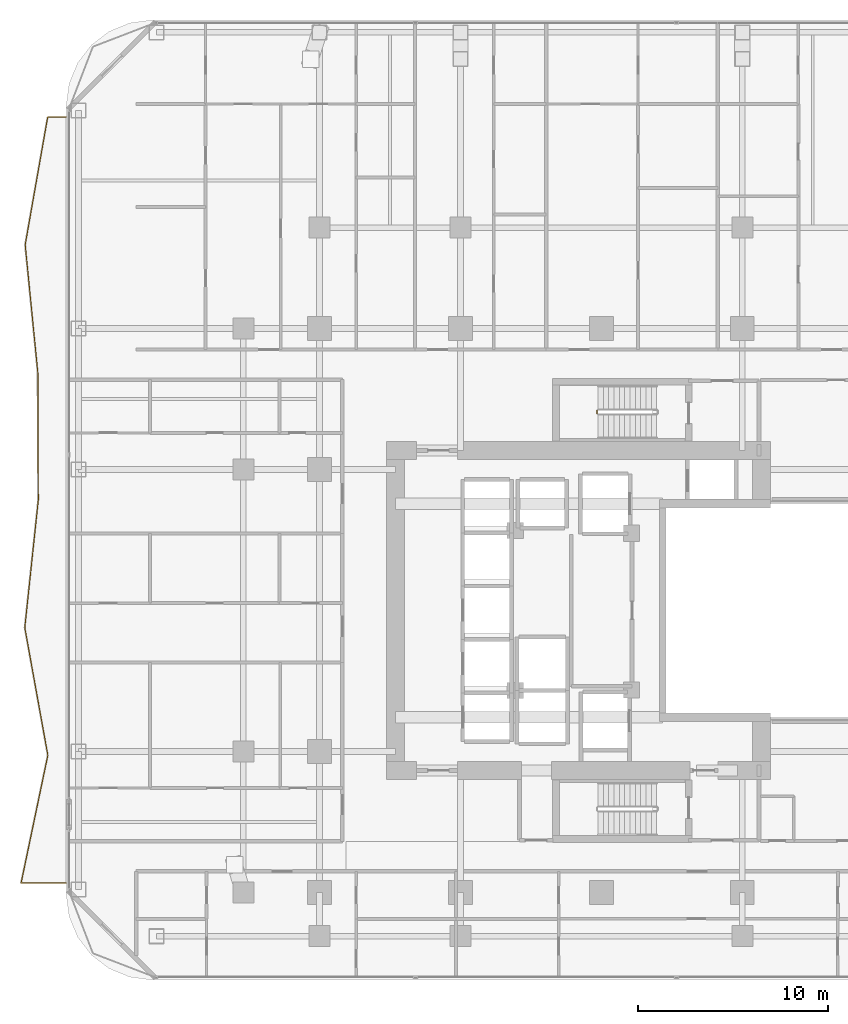
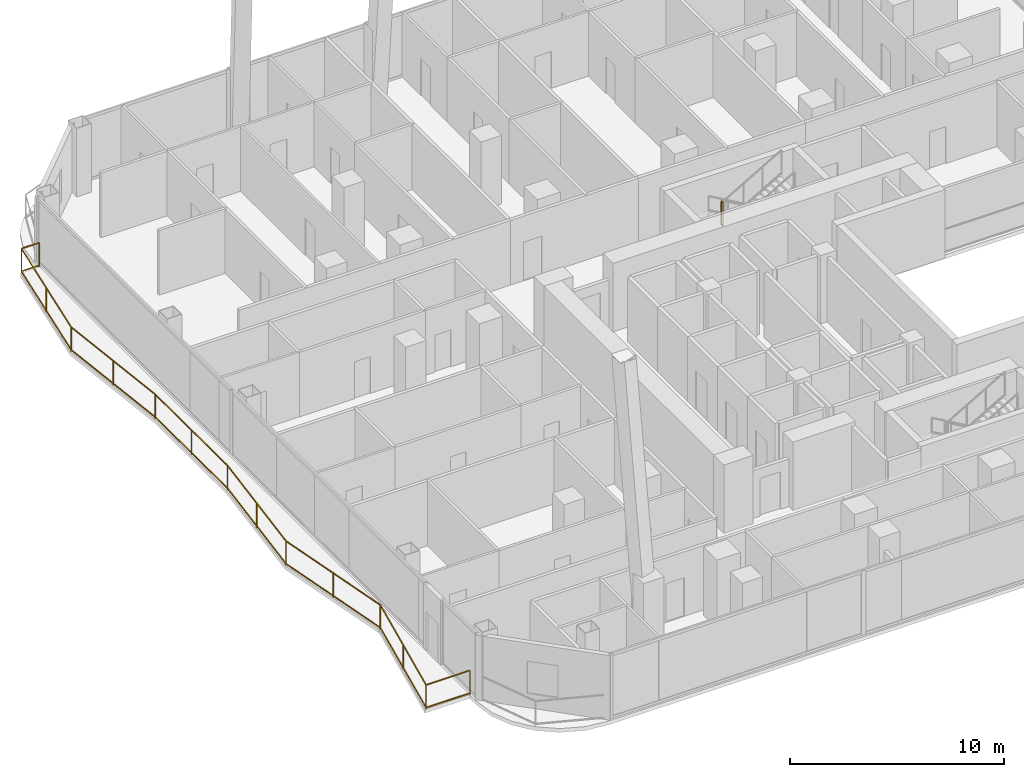
# One storey, part 30 of 32: 2 railings.
"""IFC4 building model written with IfcOpenShell, lengths in metres."""

from ifc_helpers import new_model, si_unit, direction, frame, origin, origin_2d, place, context, subcontext, project, spatial, rectangle, extrude, material, type_object, element, save


model = new_model("IFC4")

# Units and contexts
model_context = context("Model", 3, precision=1e-05, world=origin(), true_north=direction((0.0, 1.0)))
body_context = subcontext(model_context, "Body", "Model", "MODEL_VIEW")
ifc_project = project(units=[si_unit("LENGTHUNIT", "METRE"), si_unit("AREAUNIT", "SQUARE_METRE"), si_unit("VOLUMEUNIT", "CUBIC_METRE"), si_unit("PLANEANGLEUNIT", "RADIAN"), si_unit("MASSUNIT", "GRAM", prefix="KILO")], contexts=[model_context])

# Site, building, storey
site_placement = place(None, origin())
site = spatial("IfcSite", under=ifc_project, at=site_placement, CompositionType="ELEMENT")
building_placement = place(site_placement, origin())
building = spatial("IfcBuilding", under=site, at=building_placement, Name="Khorvyn Point Tower", CompositionType="ELEMENT")
storey_placement = place(building_placement, frame((0.0, 0.0, 93.0)))
storey = spatial("IfcBuildingStorey", under=building, at=storey_placement, Name="L23", CompositionType="ELEMENT", Elevation=93.0)

# Railings
ifc_material_1 = material(Name="Anodised aluminium 6063-T6 and laminated safety glass", Category="aluminium")
railing_type_1 = type_object("IfcRailingType", Name="Laminated Glass and Aluminium Balcony Guardrail 1400", PredefinedType="BALUSTRADE", material=ifc_material_1)
railing_1_placement = place(storey_placement, frame((-28.10009765625, 25.89990234375, 0.0)))
element("IfcRailing", 1, at=railing_1_placement, inside=storey, type_object=railing_type_1, Name="L23 West Balcony Guardrail", PredefinedType="BALUSTRADE", context=body_context, shape_type="SweptSolid", body=[
    extrude(rectangle(XDim=0.048095703125, YDim=0.048095703125, at=origin_2d()), frame((0.0, 0.0, 1.3759765625), z_axis=(-1.0, 0.0, 0.0), x_axis=(0.0, -1.0, 0.0)), (0.0, 0.0, 1.0), 0.968017578125),
    extrude(rectangle(XDim=0.048095703125, YDim=0.048095703125, at=origin_2d()), frame((0.0, 0.0, 0.080078125), z_axis=(-1.0, 0.0, 0.0), x_axis=(0.0, -1.0, 0.0)), (0.0, 0.0, 1.0), 0.968017578125),
    extrude(rectangle(XDim=0.048095703125, YDim=0.048095703125, at=origin_2d()), frame((-0.968017578125, 0.0, 1.3759765625), z_axis=(-0.173650219531, -0.984807392974, 0.0), x_axis=(0.984807392974, -0.173650219531, 0.0)), (0.0, 0.0, 1.0), 6.80322265625),
    extrude(rectangle(XDim=0.048095703125, YDim=0.048095703125, at=origin_2d()), frame((-0.968017578125, 0.0, 0.080078125), z_axis=(-0.173650219531, -0.984807392974, 0.0), x_axis=(0.984807392974, -0.173650219531, 0.0)), (0.0, 0.0, 1.0), 6.80322265625),
    extrude(rectangle(XDim=0.048095703125, YDim=0.048095703125, at=origin_2d()), frame((-2.1494140625, -6.699951171875, 1.3759765625), z_axis=(0.098200318385, -0.995166668186, 0.0), x_axis=(0.995166668186, 0.098200318385, 0.0)), (0.0, 0.0, 1.0), 6.732421875),
    extrude(rectangle(XDim=0.048095703125, YDim=0.048095703125, at=origin_2d()), frame((-2.1494140625, -6.699951171875, 0.080078125), z_axis=(0.098200318385, -0.995166668186, 0.0), x_axis=(0.995166668186, 0.098200318385, 0.0)), (0.0, 0.0, 1.0), 6.732421875),
    extrude(rectangle(XDim=0.048095703125, YDim=0.048095703125, at=origin_2d()), frame((-1.48828125, -13.39990234375, 1.3759765625), z_axis=(0.004117590718, -0.999991522687, 0.0), x_axis=(0.999991522687, 0.004117590718, 0.0)), (0.0, 0.0, 1.0), 6.699951171875),
    extrude(rectangle(XDim=0.048095703125, YDim=0.048095703125, at=origin_2d()), frame((-1.48828125, -13.39990234375, 0.080078125), z_axis=(0.004117590718, -0.999991522687, 0.0), x_axis=(0.999991522687, 0.004117590718, 0.0)), (0.0, 0.0, 1.0), 6.699951171875),
    extrude(rectangle(XDim=0.048095703125, YDim=0.048095703125, at=origin_2d()), frame((-1.460693359375, -20.099853515625, 1.3759765625), z_axis=(-0.105303466428, -0.994440133924, 0.0), x_axis=(0.994440133924, -0.105303466428, 0.0)), (0.0, 0.0, 1.0), 6.7373046875),
    extrude(rectangle(XDim=0.048095703125, YDim=0.048095703125, at=origin_2d()), frame((-1.460693359375, -20.099853515625, 0.080078125), z_axis=(-0.105303466428, -0.994440133924, 0.0), x_axis=(0.994440133924, -0.105303466428, 0.0)), (0.0, 0.0, 1.0), 6.7373046875),
    extrude(rectangle(XDim=0.048095703125, YDim=0.048095703125, at=origin_2d()), frame((-2.170166015625, -26.7998046875, 1.3759765625), z_axis=(0.177780918021, -0.984070091603, 0.0), x_axis=(0.984070091603, 0.177780918021, 0.0)), (0.0, 0.0, 1.0), 6.80859375),
    extrude(rectangle(XDim=0.048095703125, YDim=0.048095703125, at=origin_2d()), frame((-2.170166015625, -26.7998046875, 0.080078125), z_axis=(0.177780918021, -0.984070091603, 0.0), x_axis=(0.984070091603, 0.177780918021, 0.0)), (0.0, 0.0, 1.0), 6.80859375),
    extrude(rectangle(XDim=0.048095703125, YDim=0.048095703125, at=origin_2d()), frame((-0.959716796875, -33.5, 1.3759765625), z_axis=(-0.204901296283, -0.978782641234, 0.0), x_axis=(0.978782641234, -0.204901296283, 0.0)), (0.0, 0.0, 1.0), 6.84521484375),
    extrude(rectangle(XDim=0.048095703125, YDim=0.048095703125, at=origin_2d()), frame((-0.959716796875, -33.5, 0.080078125), z_axis=(-0.204901296283, -0.978782641234, 0.0), x_axis=(0.978782641234, -0.204901296283, 0.0)), (0.0, 0.0, 1.0), 6.84521484375),
    extrude(rectangle(XDim=0.048095703125, YDim=0.048095703125, at=origin_2d()), frame((-2.3623046875, -40.199951171875, 1.3759765625), z_axis=(1.0, 0.0, 0.0), x_axis=(0.0, 1.0, 0.0)), (0.0, 0.0, 1.0), 2.3623046875),
    extrude(rectangle(XDim=0.048095703125, YDim=0.048095703125, at=origin_2d()), frame((-2.3623046875, -40.199951171875, 0.080078125), z_axis=(1.0, 0.0, 0.0), x_axis=(0.0, 1.0, 0.0)), (0.0, 0.0, 1.0), 2.3623046875),
    extrude(rectangle(XDim=0.0419921875, YDim=0.0419921875, at=origin_2d()), origin(), (0.0, 0.0, 1.0), 1.351806640625),
    extrude(rectangle(XDim=0.0419921875, YDim=0.0419921875, at=origin_2d()), frame((-0.968017578125, 0.0, 0.0)), (0.0, 0.0, 1.0), 1.351806640625),
    extrude(rectangle(XDim=0.0419921875, YDim=0.0419921875, at=origin_2d()), frame((-1.55859375, -3.35009765625, 0.0)), (0.0, 0.0, 1.0), 1.351806640625),
    extrude(rectangle(XDim=0.0419921875, YDim=0.0419921875, at=origin_2d()), frame((-2.1494140625, -6.699951171875, 0.0)), (0.0, 0.0, 1.0), 1.351806640625),
    extrude(rectangle(XDim=0.0419921875, YDim=0.0419921875, at=origin_2d()), frame((-1.81884765625, -10.0498046875, 0.0)), (0.0, 0.0, 1.0), 1.351806640625),
    extrude(rectangle(XDim=0.0419921875, YDim=0.0419921875, at=origin_2d()), frame((-1.48828125, -13.39990234375, 0.0)), (0.0, 0.0, 1.0), 1.351806640625),
    extrude(rectangle(XDim=0.0419921875, YDim=0.0419921875, at=origin_2d()), frame((-1.474609375, -16.75, 0.0)), (0.0, 0.0, 1.0), 1.351806640625),
    extrude(rectangle(XDim=0.0419921875, YDim=0.0419921875, at=origin_2d()), frame((-1.460693359375, -20.099853515625, 0.0)), (0.0, 0.0, 1.0), 1.351806640625),
    extrude(rectangle(XDim=0.0419921875, YDim=0.0419921875, at=origin_2d()), frame((-1.8154296875, -23.44970703125, 0.0)), (0.0, 0.0, 1.0), 1.351806640625),
    extrude(rectangle(XDim=0.0419921875, YDim=0.0419921875, at=origin_2d()), frame((-2.170166015625, -26.7998046875, 0.0)), (0.0, 0.0, 1.0), 1.351806640625),
    extrude(rectangle(XDim=0.0419921875, YDim=0.0419921875, at=origin_2d()), frame((-1.56494140625, -30.14990234375, 0.0)), (0.0, 0.0, 1.0), 1.351806640625),
    extrude(rectangle(XDim=0.0419921875, YDim=0.0419921875, at=origin_2d()), frame((-0.959716796875, -33.5, 0.0)), (0.0, 0.0, 1.0), 1.351806640625),
    extrude(rectangle(XDim=0.0419921875, YDim=0.0419921875, at=origin_2d()), frame((-1.6611328125, -36.85009765625, 0.0)), (0.0, 0.0, 1.0), 1.351806640625),
    extrude(rectangle(XDim=0.0419921875, YDim=0.0419921875, at=origin_2d()), frame((-2.3623046875, -40.199951171875, 0.0)), (0.0, 0.0, 1.0), 1.351806640625),
    extrude(rectangle(XDim=0.0419921875, YDim=0.0419921875, at=origin_2d()), frame((0.0, -40.199951171875, 0.0)), (0.0, 0.0, 1.0), 1.351806640625),
])
ifc_material_2 = material(Name="Stainless steel 1.4301", Category="steel")
railing_type_2 = type_object("IfcRailingType", Name="Stainless Steel 304 Stair Well Guardrail 1400", PredefinedType="GUARDRAIL", material=ifc_material_2)
railing_2_placement = place(storey_placement, frame((-0.22998046875, 10.5, 1.949951171875)))
element("IfcRailing", 2, at=railing_2_placement, inside=storey, type_object=railing_type_2, Name="L23 ST-02 stair guard 2", PredefinedType="GUARDRAIL", context=body_context, shape_type="SweptSolid", body=[
    extrude(rectangle(XDim=0.048095703125, YDim=0.048095703125, at=origin_2d()), frame((0.0, 0.0, 1.3759765625), z_axis=(0.0, -1.0, 0.0), x_axis=(1.0, 0.0, 0.0)), (0.0, 0.0, 1.0), 0.159912109375),
    extrude(rectangle(XDim=0.048095703125, YDim=0.048095703125, at=origin_2d()), frame((0.0, 0.0, 0.080078125), z_axis=(0.0, -1.0, 0.0), x_axis=(1.0, 0.0, 0.0)), (0.0, 0.0, 1.0), 0.159912109375),
    extrude(rectangle(XDim=0.0419921875, YDim=0.0419921875, at=origin_2d()), origin(), (0.0, 0.0, 1.0), 1.351806640625),
    extrude(rectangle(XDim=0.0419921875, YDim=0.0419921875, at=origin_2d()), frame((0.0, -0.159912109375, 0.0)), (0.0, 0.0, 1.0), 1.351806640625),
])

save(model, "model.ifc")
